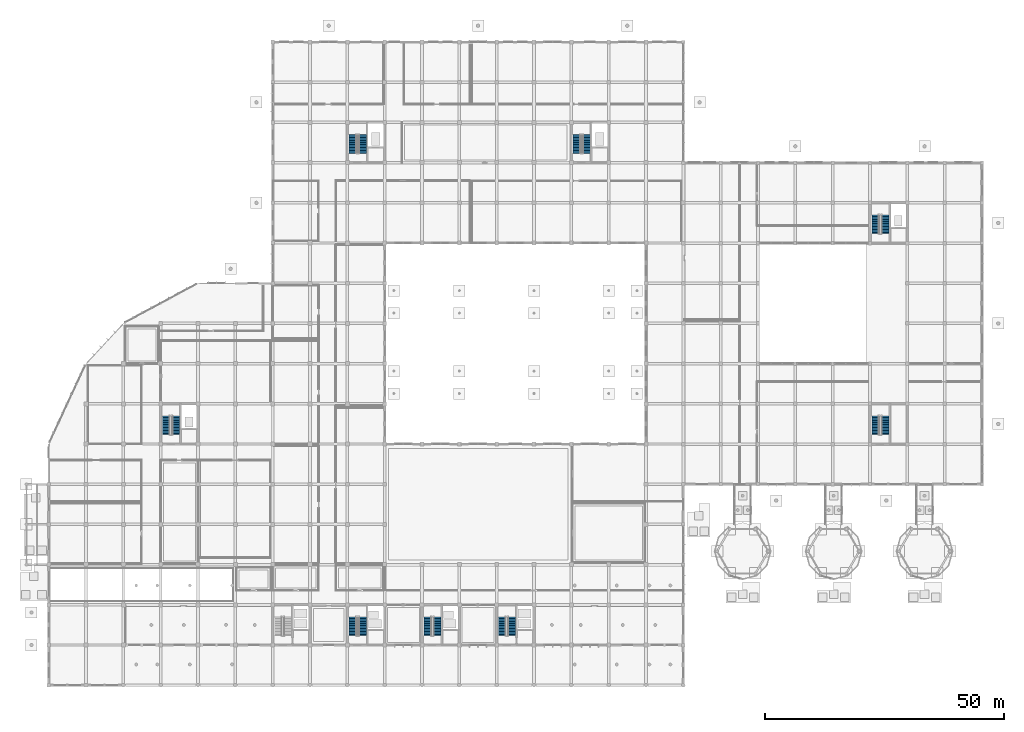
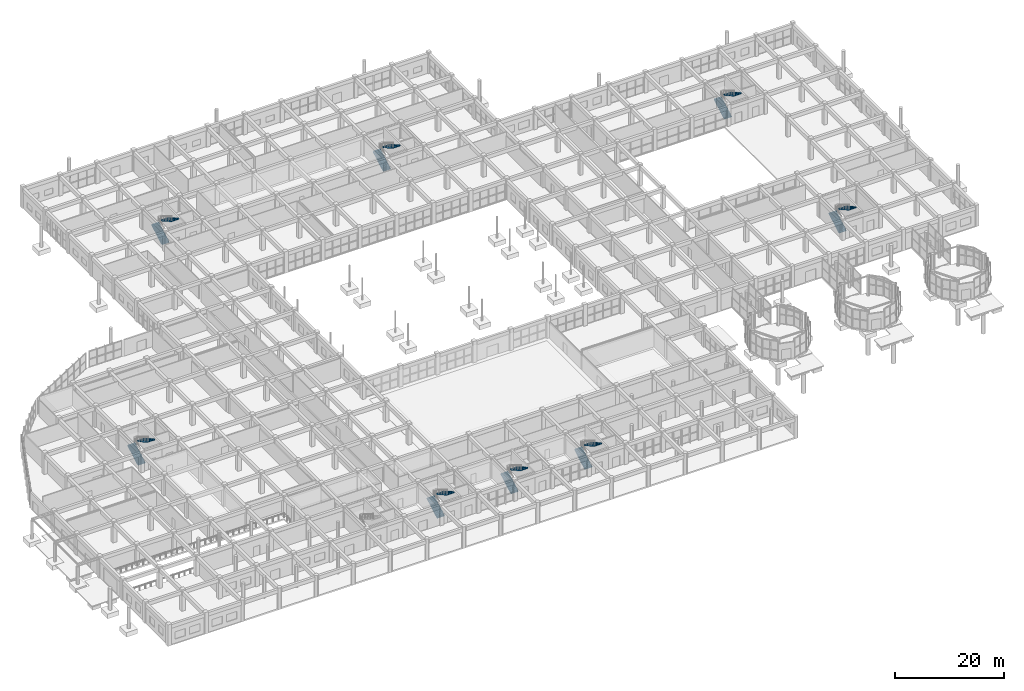
# One storey, part 132 of 139: 16 stair flights, 8 elements without a shape of their own.
"""IFC4 building model written with IfcOpenShell, lengths in metres."""

import ifcopenshell
import ifcopenshell.guid

model = None  # the IFC model being written
_history = None  # IfcOwnerHistory: only IFC2X3 demands one
_inside = {}  # id of a spatial element -> (the spatial element, [elements in it])
_under = {}  # id of a project, library or spatial element -> (it, [spatial elements below it])
_declared = {}  # id of a project -> (the project, [libraries it declares])
_typed = {}  # id of a type object -> (the type object, [elements of that type])
_made_of = {}  # id of a material, layer set ... -> (it, [elements and type objects made of it])


def new_model(schema):
    """Start an empty IFC model of exactly this schema.

    Asked for "IFC4X3", IfcOpenShell would pick the latest addendum, in which some entities
    have other attributes; the version numbers below select the first issue.
    IFC2X3 requires an IfcOwnerHistory on every rooted entity: one is made here for all.
    """
    global model, _history
    if schema == "IFC4X3":
        model = ifcopenshell.file(schema_version=(4, 3, 0, 0))
    else:
        model = ifcopenshell.file(schema=schema)
    _inside.clear()
    _under.clear()
    _declared.clear()
    _typed.clear()
    _made_of.clear()
    _history = None
    if model.schema == "IFC2X3":
        org = make("IfcOrganization", Name="unknown")
        user = make(
            "IfcPersonAndOrganization",
            ThePerson=make("IfcPerson", FamilyName="unknown"),
            TheOrganization=org,
        )
        app = make(
            "IfcApplication",
            ApplicationDeveloper=org,
            Version="unknown",
            ApplicationFullName="unknown",
            ApplicationIdentifier="unknown",
        )
        _history = make(
            "IfcOwnerHistory",
            OwningUser=user,
            OwningApplication=app,
            ChangeAction="ADDED",
            CreationDate=0,
        )
    return model


def make(cls, **values):
    """One entity of the class cls with the attributes given. An attribute that is None is left unset."""
    return model.create_entity(
        cls, **{name: value for name, value in values.items() if value is not None}
    )


def rooted(cls, **values):
    """An entity with a GlobalId (a new one), such as an element, a storey or a relation."""
    return make(cls, GlobalId=ifcopenshell.guid.new(), OwnerHistory=_history, **values)


def si_unit(unit_type, name, prefix=None):
    """IfcSIUnit, for example si_unit("LENGTHUNIT", "METRE", prefix="MILLI")."""
    return make("IfcSIUnit", UnitType=unit_type, Prefix=prefix, Name=name)


def assignment(units):
    """IfcUnitAssignment: the units of a project."""
    return None if units is None else make("IfcUnitAssignment", Units=units)


def point(xyz):
    """IfcCartesianPoint."""
    return None if xyz is None else make("IfcCartesianPoint", Coordinates=xyz)


def direction(xyz):
    """IfcDirection."""
    return None if xyz is None else make("IfcDirection", DirectionRatios=xyz)


def frame(location, z_axis=None, x_axis=None):
    """IfcAxis2Placement3D, a coordinate frame: its origin and axes. An axis left out is left unset."""
    return make(
        "IfcAxis2Placement3D",
        Location=point(location),
        Axis=direction(z_axis),
        RefDirection=direction(x_axis),
    )


def origin():
    """The frame at (0, 0, 0) with its axes left unset."""
    return frame((0.0, 0.0, 0.0))


def place(relative_to, where):
    """IfcLocalPlacement: puts the frame where relative to a parent placement (None: the world)."""
    return make(
        "IfcLocalPlacement", PlacementRelTo=relative_to, RelativePlacement=where
    )


def context(
    kind, dimensions, precision=None, world=None, true_north=None, identifier=None
):
    """IfcGeometricRepresentationContext, for example the 3D "Model" context."""
    return make(
        "IfcGeometricRepresentationContext",
        ContextIdentifier=identifier,
        ContextType=kind,
        CoordinateSpaceDimension=dimensions,
        Precision=precision,
        WorldCoordinateSystem=world,
        TrueNorth=true_north,
    )


def subcontext(parent, identifier, kind, view, scale=None):
    """IfcGeometricRepresentationSubContext, for example "Body" below "Model"."""
    return make(
        "IfcGeometricRepresentationSubContext",
        ContextIdentifier=identifier,
        ContextType=kind,
        ParentContext=parent,
        TargetScale=scale,
        TargetView=view,
    )


def project(units=None, contexts=None):
    """IfcProject with its units and contexts."""
    return rooted(
        "IfcProject",
        Name="project",
        RepresentationContexts=contexts,
        UnitsInContext=assignment(units),
    )


def spatial(cls, under=None, at=None, **own):
    """A site, building, storey or space (cls), placed at a placement, below another one or the project."""
    s = rooted(cls, ObjectPlacement=at, **own)
    if under is not None:
        _under.setdefault(under.id(), (under, []))[1].append(s)
    return s


def polyline(points):
    """IfcPolyline through the points."""
    return make("IfcPolyline", Points=[point(p) for p in points])


def outline(outer, holes=None, kind="AREA"):
    """IfcArbitraryClosedProfileDef: a profile drawn as a closed curve; with holes, ...WithVoids."""
    if holes is None:
        return make("IfcArbitraryClosedProfileDef", ProfileType=kind, OuterCurve=outer)
    return make(
        "IfcArbitraryProfileDefWithVoids",
        ProfileType=kind,
        OuterCurve=outer,
        InnerCurves=holes,
    )


def extrude(swept, where, along, depth):
    """IfcExtrudedAreaSolid: the profile swept, set in the frame where, extruded along a direction by depth."""
    return make(
        "IfcExtrudedAreaSolid",
        SweptArea=swept,
        Position=where,
        ExtrudedDirection=direction(along),
        Depth=depth,
    )


def shape(context_of_items, identifier, shape_type, items):
    """IfcShapeRepresentation: the items that make up one representation, for example the "Body"."""
    return make(
        "IfcShapeRepresentation",
        ContextOfItems=context_of_items,
        RepresentationIdentifier=identifier,
        RepresentationType=shape_type,
        Items=items,
    )


def material(Name=None, Category=None):
    """IfcMaterial."""
    return make("IfcMaterial", Name=Name, Category=Category)


def made_of(thing, what):
    """Note that an element or type object is made of a material, layer set ...; save() writes the relation."""
    if what is not None:
        _made_of.setdefault(what.id(), (what, []))[1].append(thing)
    return thing


def type_object(cls, material=None, **own):
    """A type object (cls), such as IfcWallType, which elements share."""
    return made_of(rooted(cls, **own), material)


def element(
    cls,
    number,
    at=None,
    inside=None,
    cuts=None,
    type_object=None,
    material=None,
    context=None,
    identifier="Body",
    shape_type=None,
    held_by="IfcProductDefinitionShape",
    body=None,
    shapes=None,
    **own,
):
    """One element of the class cls, such as IfcWall. Its Tag is "e" and its number.

    at: its placement. inside: the storey or other place that contains it. cuts: it is an
    opening in that element (IfcRelVoidsElement). A single representation is given by context,
    identifier, shape_type and body (its items); several are given by shapes. held_by: the class
    of the entity that holds the representations. save() writes the other relations.
    """
    e = rooted(cls, Tag="e%d" % number, ObjectPlacement=at, **own)
    if body is not None:
        shapes = [shape(context, identifier, shape_type, body)]
    if shapes is not None:
        e.Representation = make(held_by, Representations=shapes)
    if inside is not None:
        _inside.setdefault(inside.id(), (inside, []))[1].append(e)
    if cuts is not None:
        rooted(
            "IfcRelVoidsElement", RelatingBuildingElement=cuts, RelatedOpeningElement=e
        )
    if type_object is not None:
        _typed.setdefault(type_object.id(), (type_object, []))[1].append(e)
    return made_of(e, material)


def aggregate(whole, parts):
    """IfcRelAggregates: a whole, such as a stair, and the parts it consists of."""
    return rooted("IfcRelAggregates", RelatingObject=whole, RelatedObjects=parts)


def save(model, path):
    """Write the relations noted so far, then the file.

    IfcRelAggregates (storeys below a building ...), IfcRelContainedInSpatialStructure (elements
    in a storey), IfcRelDefinesByType, IfcRelAssociatesMaterial and IfcRelDeclares: one each for
    every whole, place, type object, material and project.
    """
    for whole, parts in _under.values():
        aggregate(whole, parts)
    for where, things in _inside.values():
        rooted(
            "IfcRelContainedInSpatialStructure",
            RelatedElements=things,
            RelatingStructure=where,
        )
    for kind, things in _typed.values():
        rooted("IfcRelDefinesByType", RelatedObjects=things, RelatingType=kind)
    for what, things in _made_of.values():
        rooted("IfcRelAssociatesMaterial", RelatedObjects=things, RelatingMaterial=what)
    for by, libraries in _declared.values():
        rooted("IfcRelDeclares", RelatingContext=by, RelatedDefinitions=libraries)
    model.write(path)


model = new_model("IFC4")

# Units and contexts
model_context = context("Model", 3, precision=1e-05, world=origin(), true_north=direction((0.0, 1.0)))
body_context = subcontext(model_context, "Body", "Model", "MODEL_VIEW")
ifc_project = project(units=[si_unit("LENGTHUNIT", "METRE"), si_unit("AREAUNIT", "SQUARE_METRE"), si_unit("VOLUMEUNIT", "CUBIC_METRE"), si_unit("PLANEANGLEUNIT", "RADIAN"), si_unit("MASSUNIT", "GRAM", prefix="KILO")], contexts=[model_context])

# Site, building, storey
site_placement = place(None, origin())
site = spatial("IfcSite", under=ifc_project, at=site_placement, CompositionType="ELEMENT")
building_placement = place(site_placement, origin())
building = spatial("IfcBuilding", under=site, at=building_placement, Name="Zizhar Promenade General Hospital", CompositionType="ELEMENT")
storey_placement = place(building_placement, origin())
storey = spatial("IfcBuildingStorey", under=building, at=storey_placement, Name="L00", CompositionType="ELEMENT", Elevation=0.0)

# Stair, stair flights
ifc_material_1 = material(Name="Concrete C35/45", Category="concrete")
stair_type = type_object("IfcStairType", Name="STR-DOG-480", PredefinedType="HALF_TURN_STAIR", material=ifc_material_1)
stair_1_placement = place(storey_placement, origin())
stair_1 = element("IfcStair", 1, at=stair_1_placement, inside=storey, type_object=stair_type, Name="Exit Stair ST-01 (L00 to L01)", PredefinedType="HALF_TURN_STAIR")
ifc_material_2 = material(Name="Concrete C35/45", Category="concrete")
stair_flight_type = type_object("IfcStairFlightType", Name="SFL-DOG-480", PredefinedType="STRAIGHT", material=ifc_material_2)
stair_flight_1_placement = place(storey_placement, frame((24.550048828125, 52.35009765625, 0.0), z_axis=(0.0, 0.0, 1.0), x_axis=(0.0, 1.0, 0.0)))
stair_flight_1 = element("IfcStairFlight", 2, at=stair_flight_1_placement, type_object=stair_flight_type, Name="ST-01A flight 1", NumberOfRisers=14, NumberOfTreads=13, PredefinedType="STRAIGHT", RiserHeight=0.171429, TreadLength=0.3, context=body_context, shape_type="SweptSolid", body=[
    extrude(outline(polyline([(0.0, 0.0), (0.0, 0.17138671875), (0.300048828125, 0.17138671875), (0.300048828125, 0.3427734375), (0.60009765625, 0.3427734375), (0.60009765625, 0.514404296875), (0.89990234375, 0.514404296875), (0.89990234375, 0.685791015625), (1.199951171875, 0.685791015625), (1.199951171875, 0.857177734375), (1.5, 0.857177734375), (1.5, 1.028564453125), (1.800048828125, 1.028564453125), (1.800048828125, 1.199951171875), (2.10009765625, 1.199951171875), (2.10009765625, 1.371337890625), (2.39990234375, 1.371337890625), (2.39990234375, 1.54296875), (2.699951171875, 1.54296875), (2.699951171875, 1.71435546875), (3.0, 1.71435546875), (3.0, 1.8857421875), (3.300048828125, 1.8857421875), (3.300048828125, 2.05712890625), (3.60009765625, 2.05712890625), (3.60009765625, 2.228515625), (3.89990234375, 2.228515625), (3.89990234375, 2.39990234375), (3.89990234375, 2.021240234375), (0.362548828125, 0.0), (0.0, 0.0)])), frame((0.0, 0.780029296875, 0.0), z_axis=(0.0, -1.0, 0.0), x_axis=(1.0, 0.0, 0.0)), (0.0, 0.0, 1.0), 1.56005859375),
])
stair_flight_2_placement = place(storey_placement, frame((26.590087890625, 56.25, 2.39990234375), z_axis=(0.0, 0.0, 1.0), x_axis=(0.0, -1.0, 0.0)))
stair_flight_2 = element("IfcStairFlight", 3, at=stair_flight_2_placement, type_object=stair_flight_type, Name="ST-01A flight 2", NumberOfRisers=14, NumberOfTreads=13, PredefinedType="STRAIGHT", RiserHeight=0.171429, TreadLength=0.3, context=body_context, shape_type="SweptSolid", body=[
    extrude(outline(polyline([(0.0, 0.0), (0.0, 0.17138671875), (0.300048828125, 0.17138671875), (0.300048828125, 0.3427734375), (0.60009765625, 0.3427734375), (0.60009765625, 0.514404296875), (0.89990234375, 0.514404296875), (0.89990234375, 0.685791015625), (1.199951171875, 0.685791015625), (1.199951171875, 0.857177734375), (1.5, 0.857177734375), (1.5, 1.028564453125), (1.800048828125, 1.028564453125), (1.800048828125, 1.199951171875), (2.10009765625, 1.199951171875), (2.10009765625, 1.371337890625), (2.39990234375, 1.371337890625), (2.39990234375, 1.54296875), (2.699951171875, 1.54296875), (2.699951171875, 1.71435546875), (3.0, 1.71435546875), (3.0, 1.8857421875), (3.300048828125, 1.8857421875), (3.300048828125, 2.05712890625), (3.60009765625, 2.05712890625), (3.60009765625, 2.228515625), (3.89990234375, 2.228515625), (3.89990234375, 2.39990234375), (3.89990234375, 2.021240234375), (0.362548828125, 0.0), (0.0, 0.0)])), frame((0.0, 0.780029296875, 0.0), z_axis=(0.0, -1.0, 0.0), x_axis=(1.0, 0.0, 0.0)), (0.0, 0.0, 1.0), 1.56005859375),
])
aggregate(stair_1, [stair_flight_1, stair_flight_2])

stair_2_placement = place(storey_placement, origin())
stair_2 = element("IfcStair", 4, at=stair_2_placement, inside=storey, type_object=stair_type, Name="Exit Stair ST-03 (L00 to L01)", PredefinedType="HALF_TURN_STAIR")
stair_flight_3_placement = place(storey_placement, frame((63.550048828125, 10.35009765625, 0.0), z_axis=(0.0, 0.0, 1.0), x_axis=(0.0, 1.0, 0.0)))
stair_flight_3 = element("IfcStairFlight", 5, at=stair_flight_3_placement, type_object=stair_flight_type, Name="ST-03A flight 1", NumberOfRisers=14, NumberOfTreads=13, PredefinedType="STRAIGHT", RiserHeight=0.171429, TreadLength=0.3, context=body_context, shape_type="SweptSolid", body=[
    extrude(outline(polyline([(0.0, 0.0), (0.0, 0.17138671875), (0.300048828125, 0.17138671875), (0.300048828125, 0.3427734375), (0.60009765625, 0.3427734375), (0.60009765625, 0.514404296875), (0.89990234375, 0.514404296875), (0.89990234375, 0.685791015625), (1.199951171875, 0.685791015625), (1.199951171875, 0.857177734375), (1.5, 0.857177734375), (1.5, 1.028564453125), (1.800048828125, 1.028564453125), (1.800048828125, 1.199951171875), (2.10009765625, 1.199951171875), (2.10009765625, 1.371337890625), (2.39990234375, 1.371337890625), (2.39990234375, 1.54296875), (2.699951171875, 1.54296875), (2.699951171875, 1.71435546875), (3.0, 1.71435546875), (3.0, 1.8857421875), (3.300048828125, 1.8857421875), (3.300048828125, 2.05712890625), (3.60009765625, 2.05712890625), (3.60009765625, 2.228515625), (3.89990234375, 2.228515625), (3.89990234375, 2.39990234375), (3.89990234375, 2.021240234375), (0.362548828125, 0.0), (0.0, 0.0)])), frame((0.0, 0.780029296875, 0.0), z_axis=(0.0, -1.0, 0.0), x_axis=(1.0, 0.0, 0.0)), (0.0, 0.0, 1.0), 1.56005859375),
])
stair_flight_4_placement = place(storey_placement, frame((65.590087890625, 14.25, 2.39990234375), z_axis=(0.0, 0.0, 1.0), x_axis=(0.0, -1.0, 0.0)))
stair_flight_4 = element("IfcStairFlight", 6, at=stair_flight_4_placement, type_object=stair_flight_type, Name="ST-03A flight 2", NumberOfRisers=14, NumberOfTreads=13, PredefinedType="STRAIGHT", RiserHeight=0.171429, TreadLength=0.3, context=body_context, shape_type="SweptSolid", body=[
    extrude(outline(polyline([(0.0, 0.0), (0.0, 0.17138671875), (0.300048828125, 0.17138671875), (0.300048828125, 0.3427734375), (0.60009765625, 0.3427734375), (0.60009765625, 0.514404296875), (0.89990234375, 0.514404296875), (0.89990234375, 0.685791015625), (1.199951171875, 0.685791015625), (1.199951171875, 0.857177734375), (1.5, 0.857177734375), (1.5, 1.028564453125), (1.800048828125, 1.028564453125), (1.800048828125, 1.199951171875), (2.10009765625, 1.199951171875), (2.10009765625, 1.371337890625), (2.39990234375, 1.371337890625), (2.39990234375, 1.54296875), (2.699951171875, 1.54296875), (2.699951171875, 1.71435546875), (3.0, 1.71435546875), (3.0, 1.8857421875), (3.300048828125, 1.8857421875), (3.300048828125, 2.05712890625), (3.60009765625, 2.05712890625), (3.60009765625, 2.228515625), (3.89990234375, 2.228515625), (3.89990234375, 2.39990234375), (3.89990234375, 2.021240234375), (0.362548828125, 0.0), (0.0, 0.0)])), frame((0.0, 0.780029296875, 0.0), z_axis=(0.0, -1.0, 0.0), x_axis=(1.0, 0.0, 0.0)), (0.0, 0.0, 1.0), 1.56005859375),
])
aggregate(stair_2, [stair_flight_3, stair_flight_4])

stair_3_placement = place(storey_placement, origin())
stair_3 = element("IfcStair", 7, at=stair_3_placement, inside=storey, type_object=stair_type, Name="Exit Stair ST-04 (L00 to L01)", PredefinedType="HALF_TURN_STAIR")
stair_flight_5_placement = place(storey_placement, frame((79.14990234375, 10.35009765625, 0.0), z_axis=(0.0, 0.0, 1.0), x_axis=(0.0, 1.0, 0.0)))
stair_flight_5 = element("IfcStairFlight", 8, at=stair_flight_5_placement, type_object=stair_flight_type, Name="ST-04A flight 1", NumberOfRisers=14, NumberOfTreads=13, PredefinedType="STRAIGHT", RiserHeight=0.171429, TreadLength=0.3, context=body_context, shape_type="SweptSolid", body=[
    extrude(outline(polyline([(0.0, 0.0), (0.0, 0.17138671875), (0.300048828125, 0.17138671875), (0.300048828125, 0.3427734375), (0.60009765625, 0.3427734375), (0.60009765625, 0.514404296875), (0.89990234375, 0.514404296875), (0.89990234375, 0.685791015625), (1.199951171875, 0.685791015625), (1.199951171875, 0.857177734375), (1.5, 0.857177734375), (1.5, 1.028564453125), (1.800048828125, 1.028564453125), (1.800048828125, 1.199951171875), (2.10009765625, 1.199951171875), (2.10009765625, 1.371337890625), (2.39990234375, 1.371337890625), (2.39990234375, 1.54296875), (2.699951171875, 1.54296875), (2.699951171875, 1.71435546875), (3.0, 1.71435546875), (3.0, 1.8857421875), (3.300048828125, 1.8857421875), (3.300048828125, 2.05712890625), (3.60009765625, 2.05712890625), (3.60009765625, 2.228515625), (3.89990234375, 2.228515625), (3.89990234375, 2.39990234375), (3.89990234375, 2.021240234375), (0.362548828125, 0.0), (0.0, 0.0)])), frame((0.0, 0.780029296875, 0.0), z_axis=(0.0, -1.0, 0.0), x_axis=(1.0, 0.0, 0.0)), (0.0, 0.0, 1.0), 1.56005859375),
])
stair_flight_6_placement = place(storey_placement, frame((81.18994140625, 14.25, 2.39990234375), z_axis=(0.0, 0.0, 1.0), x_axis=(0.0, -1.0, 0.0)))
stair_flight_6 = element("IfcStairFlight", 9, at=stair_flight_6_placement, type_object=stair_flight_type, Name="ST-04A flight 2", NumberOfRisers=14, NumberOfTreads=13, PredefinedType="STRAIGHT", RiserHeight=0.171429, TreadLength=0.3, context=body_context, shape_type="SweptSolid", body=[
    extrude(outline(polyline([(0.0, 0.0), (0.0, 0.17138671875), (0.300048828125, 0.17138671875), (0.300048828125, 0.3427734375), (0.60009765625, 0.3427734375), (0.60009765625, 0.514404296875), (0.89990234375, 0.514404296875), (0.89990234375, 0.685791015625), (1.199951171875, 0.685791015625), (1.199951171875, 0.857177734375), (1.5, 0.857177734375), (1.5, 1.028564453125), (1.800048828125, 1.028564453125), (1.800048828125, 1.199951171875), (2.10009765625, 1.199951171875), (2.10009765625, 1.371337890625), (2.39990234375, 1.371337890625), (2.39990234375, 1.54296875), (2.699951171875, 1.54296875), (2.699951171875, 1.71435546875), (3.0, 1.71435546875), (3.0, 1.8857421875), (3.300048828125, 1.8857421875), (3.300048828125, 2.05712890625), (3.60009765625, 2.05712890625), (3.60009765625, 2.228515625), (3.89990234375, 2.228515625), (3.89990234375, 2.39990234375), (3.89990234375, 2.021240234375), (0.362548828125, 0.0), (0.0, 0.0)])), frame((0.0, 0.780029296875, 0.0), z_axis=(0.0, -1.0, 0.0), x_axis=(1.0, 0.0, 0.0)), (0.0, 0.0, 1.0), 1.56005859375),
])
aggregate(stair_3, [stair_flight_5, stair_flight_6])

stair_4_placement = place(storey_placement, origin())
stair_4 = element("IfcStair", 10, at=stair_4_placement, inside=storey, type_object=stair_type, Name="Exit Stair ST-05 (L00 to L01)", PredefinedType="HALF_TURN_STAIR")
stair_flight_7_placement = place(storey_placement, frame((94.75, 10.35009765625, 0.0), z_axis=(0.0, 0.0, 1.0), x_axis=(0.0, 1.0, 0.0)))
stair_flight_7 = element("IfcStairFlight", 11, at=stair_flight_7_placement, type_object=stair_flight_type, Name="ST-05A flight 1", NumberOfRisers=14, NumberOfTreads=13, PredefinedType="STRAIGHT", RiserHeight=0.171429, TreadLength=0.3, context=body_context, shape_type="SweptSolid", body=[
    extrude(outline(polyline([(0.0, 0.0), (0.0, 0.17138671875), (0.300048828125, 0.17138671875), (0.300048828125, 0.3427734375), (0.60009765625, 0.3427734375), (0.60009765625, 0.514404296875), (0.89990234375, 0.514404296875), (0.89990234375, 0.685791015625), (1.199951171875, 0.685791015625), (1.199951171875, 0.857177734375), (1.5, 0.857177734375), (1.5, 1.028564453125), (1.800048828125, 1.028564453125), (1.800048828125, 1.199951171875), (2.10009765625, 1.199951171875), (2.10009765625, 1.371337890625), (2.39990234375, 1.371337890625), (2.39990234375, 1.54296875), (2.699951171875, 1.54296875), (2.699951171875, 1.71435546875), (3.0, 1.71435546875), (3.0, 1.8857421875), (3.300048828125, 1.8857421875), (3.300048828125, 2.05712890625), (3.60009765625, 2.05712890625), (3.60009765625, 2.228515625), (3.89990234375, 2.228515625), (3.89990234375, 2.39990234375), (3.89990234375, 2.021240234375), (0.362548828125, 0.0), (0.0, 0.0)])), frame((0.0, 0.780029296875, 0.0), z_axis=(0.0, -1.0, 0.0), x_axis=(1.0, 0.0, 0.0)), (0.0, 0.0, 1.0), 1.56005859375),
])
stair_flight_8_placement = place(storey_placement, frame((96.7900390625, 14.25, 2.39990234375), z_axis=(0.0, 0.0, 1.0), x_axis=(0.0, -1.0, 0.0)))
stair_flight_8 = element("IfcStairFlight", 12, at=stair_flight_8_placement, type_object=stair_flight_type, Name="ST-05A flight 2", NumberOfRisers=14, NumberOfTreads=13, PredefinedType="STRAIGHT", RiserHeight=0.171429, TreadLength=0.3, context=body_context, shape_type="SweptSolid", body=[
    extrude(outline(polyline([(0.0, 0.0), (0.0, 0.17138671875), (0.300048828125, 0.17138671875), (0.300048828125, 0.3427734375), (0.60009765625, 0.3427734375), (0.60009765625, 0.514404296875), (0.89990234375, 0.514404296875), (0.89990234375, 0.685791015625), (1.199951171875, 0.685791015625), (1.199951171875, 0.857177734375), (1.5, 0.857177734375), (1.5, 1.028564453125), (1.800048828125, 1.028564453125), (1.800048828125, 1.199951171875), (2.10009765625, 1.199951171875), (2.10009765625, 1.371337890625), (2.39990234375, 1.371337890625), (2.39990234375, 1.54296875), (2.699951171875, 1.54296875), (2.699951171875, 1.71435546875), (3.0, 1.71435546875), (3.0, 1.8857421875), (3.300048828125, 1.8857421875), (3.300048828125, 2.05712890625), (3.60009765625, 2.05712890625), (3.60009765625, 2.228515625), (3.89990234375, 2.228515625), (3.89990234375, 2.39990234375), (3.89990234375, 2.021240234375), (0.362548828125, 0.0), (0.0, 0.0)])), frame((0.0, 0.780029296875, 0.0), z_axis=(0.0, -1.0, 0.0), x_axis=(1.0, 0.0, 0.0)), (0.0, 0.0, 1.0), 1.56005859375),
])
aggregate(stair_4, [stair_flight_7, stair_flight_8])

stair_5_placement = place(storey_placement, origin())
stair_5 = element("IfcStair", 13, at=stair_5_placement, inside=storey, type_object=stair_type, Name="Exit Stair ST-06 (L00 to L01)", PredefinedType="HALF_TURN_STAIR")
stair_flight_9_placement = place(storey_placement, frame((63.550048828125, 111.14990234375, 0.0), z_axis=(0.0, 0.0, 1.0), x_axis=(0.0, 1.0, 0.0)))
stair_flight_9 = element("IfcStairFlight", 14, at=stair_flight_9_placement, type_object=stair_flight_type, Name="ST-06A flight 1", NumberOfRisers=14, NumberOfTreads=13, PredefinedType="STRAIGHT", RiserHeight=0.171429, TreadLength=0.3, context=body_context, shape_type="SweptSolid", body=[
    extrude(outline(polyline([(0.0, 0.0), (0.0, 0.17138671875), (0.300048828125, 0.17138671875), (0.300048828125, 0.3427734375), (0.60009765625, 0.3427734375), (0.60009765625, 0.514404296875), (0.89990234375, 0.514404296875), (0.89990234375, 0.685791015625), (1.199951171875, 0.685791015625), (1.199951171875, 0.857177734375), (1.5, 0.857177734375), (1.5, 1.028564453125), (1.800048828125, 1.028564453125), (1.800048828125, 1.199951171875), (2.10009765625, 1.199951171875), (2.10009765625, 1.371337890625), (2.39990234375, 1.371337890625), (2.39990234375, 1.54296875), (2.699951171875, 1.54296875), (2.699951171875, 1.71435546875), (3.0, 1.71435546875), (3.0, 1.8857421875), (3.300048828125, 1.8857421875), (3.300048828125, 2.05712890625), (3.60009765625, 2.05712890625), (3.60009765625, 2.228515625), (3.89990234375, 2.228515625), (3.89990234375, 2.39990234375), (3.89990234375, 2.021240234375), (0.362548828125, 0.0), (0.0, 0.0)])), frame((0.0, 0.780029296875, 0.0), z_axis=(0.0, -1.0, 0.0), x_axis=(1.0, 0.0, 0.0)), (0.0, 0.0, 1.0), 1.56005859375),
])
stair_flight_10_placement = place(storey_placement, frame((65.590087890625, 115.050048828125, 2.39990234375), z_axis=(0.0, 0.0, 1.0), x_axis=(0.0, -1.0, 0.0)))
stair_flight_10 = element("IfcStairFlight", 15, at=stair_flight_10_placement, type_object=stair_flight_type, Name="ST-06A flight 2", NumberOfRisers=14, NumberOfTreads=13, PredefinedType="STRAIGHT", RiserHeight=0.171429, TreadLength=0.3, context=body_context, shape_type="SweptSolid", body=[
    extrude(outline(polyline([(0.0, 0.0), (0.0, 0.17138671875), (0.300048828125, 0.17138671875), (0.300048828125, 0.3427734375), (0.60009765625, 0.3427734375), (0.60009765625, 0.514404296875), (0.89990234375, 0.514404296875), (0.89990234375, 0.685791015625), (1.199951171875, 0.685791015625), (1.199951171875, 0.857177734375), (1.5, 0.857177734375), (1.5, 1.028564453125), (1.800048828125, 1.028564453125), (1.800048828125, 1.199951171875), (2.10009765625, 1.199951171875), (2.10009765625, 1.371337890625), (2.39990234375, 1.371337890625), (2.39990234375, 1.54296875), (2.699951171875, 1.54296875), (2.699951171875, 1.71435546875), (3.0, 1.71435546875), (3.0, 1.8857421875), (3.300048828125, 1.8857421875), (3.300048828125, 2.05712890625), (3.60009765625, 2.05712890625), (3.60009765625, 2.228515625), (3.89990234375, 2.228515625), (3.89990234375, 2.39990234375), (3.89990234375, 2.021240234375), (0.362548828125, 0.0), (0.0, 0.0)])), frame((0.0, 0.780029296875, 0.0), z_axis=(0.0, -1.0, 0.0), x_axis=(1.0, 0.0, 0.0)), (0.0, 0.0, 1.0), 1.56005859375),
])
aggregate(stair_5, [stair_flight_9, stair_flight_10])

stair_6_placement = place(storey_placement, origin())
stair_6 = element("IfcStair", 16, at=stair_6_placement, inside=storey, type_object=stair_type, Name="Exit Stair ST-07 (L00 to L01)", PredefinedType="HALF_TURN_STAIR")
stair_flight_11_placement = place(storey_placement, frame((110.35009765625, 111.14990234375, 0.0), z_axis=(0.0, 0.0, 1.0), x_axis=(0.0, 1.0, 0.0)))
stair_flight_11 = element("IfcStairFlight", 17, at=stair_flight_11_placement, type_object=stair_flight_type, Name="ST-07A flight 1", NumberOfRisers=14, NumberOfTreads=13, PredefinedType="STRAIGHT", RiserHeight=0.171429, TreadLength=0.3, context=body_context, shape_type="SweptSolid", body=[
    extrude(outline(polyline([(0.0, 0.0), (0.0, 0.17138671875), (0.300048828125, 0.17138671875), (0.300048828125, 0.3427734375), (0.60009765625, 0.3427734375), (0.60009765625, 0.514404296875), (0.89990234375, 0.514404296875), (0.89990234375, 0.685791015625), (1.199951171875, 0.685791015625), (1.199951171875, 0.857177734375), (1.5, 0.857177734375), (1.5, 1.028564453125), (1.800048828125, 1.028564453125), (1.800048828125, 1.199951171875), (2.10009765625, 1.199951171875), (2.10009765625, 1.371337890625), (2.39990234375, 1.371337890625), (2.39990234375, 1.54296875), (2.699951171875, 1.54296875), (2.699951171875, 1.71435546875), (3.0, 1.71435546875), (3.0, 1.8857421875), (3.300048828125, 1.8857421875), (3.300048828125, 2.05712890625), (3.60009765625, 2.05712890625), (3.60009765625, 2.228515625), (3.89990234375, 2.228515625), (3.89990234375, 2.39990234375), (3.89990234375, 2.021240234375), (0.362548828125, 0.0), (0.0, 0.0)])), frame((0.0, 0.780029296875, 0.0), z_axis=(0.0, -1.0, 0.0), x_axis=(1.0, 0.0, 0.0)), (0.0, 0.0, 1.0), 1.56005859375),
])
stair_flight_12_placement = place(storey_placement, frame((112.389892578125, 115.050048828125, 2.39990234375), z_axis=(0.0, 0.0, 1.0), x_axis=(0.0, -1.0, 0.0)))
stair_flight_12 = element("IfcStairFlight", 18, at=stair_flight_12_placement, type_object=stair_flight_type, Name="ST-07A flight 2", NumberOfRisers=14, NumberOfTreads=13, PredefinedType="STRAIGHT", RiserHeight=0.171429, TreadLength=0.3, context=body_context, shape_type="SweptSolid", body=[
    extrude(outline(polyline([(0.0, 0.0), (0.0, 0.17138671875), (0.300048828125, 0.17138671875), (0.300048828125, 0.3427734375), (0.60009765625, 0.3427734375), (0.60009765625, 0.514404296875), (0.89990234375, 0.514404296875), (0.89990234375, 0.685791015625), (1.199951171875, 0.685791015625), (1.199951171875, 0.857177734375), (1.5, 0.857177734375), (1.5, 1.028564453125), (1.800048828125, 1.028564453125), (1.800048828125, 1.199951171875), (2.10009765625, 1.199951171875), (2.10009765625, 1.371337890625), (2.39990234375, 1.371337890625), (2.39990234375, 1.54296875), (2.699951171875, 1.54296875), (2.699951171875, 1.71435546875), (3.0, 1.71435546875), (3.0, 1.8857421875), (3.300048828125, 1.8857421875), (3.300048828125, 2.05712890625), (3.60009765625, 2.05712890625), (3.60009765625, 2.228515625), (3.89990234375, 2.228515625), (3.89990234375, 2.39990234375), (3.89990234375, 2.021240234375), (0.362548828125, 0.0), (0.0, 0.0)])), frame((0.0, 0.780029296875, 0.0), z_axis=(0.0, -1.0, 0.0), x_axis=(1.0, 0.0, 0.0)), (0.0, 0.0, 1.0), 1.56005859375),
])
aggregate(stair_6, [stair_flight_11, stair_flight_12])

stair_7_placement = place(storey_placement, origin())
stair_7 = element("IfcStair", 19, at=stair_7_placement, inside=storey, type_object=stair_type, Name="Exit Stair ST-08 (L00 to L01)", PredefinedType="HALF_TURN_STAIR")
stair_flight_13_placement = place(storey_placement, frame((172.75, 94.35009765625, 0.0), z_axis=(0.0, 0.0, 1.0), x_axis=(0.0, 1.0, 0.0)))
stair_flight_13 = element("IfcStairFlight", 20, at=stair_flight_13_placement, type_object=stair_flight_type, Name="ST-08A flight 1", NumberOfRisers=14, NumberOfTreads=13, PredefinedType="STRAIGHT", RiserHeight=0.171429, TreadLength=0.3, context=body_context, shape_type="SweptSolid", body=[
    extrude(outline(polyline([(0.0, 0.0), (0.0, 0.17138671875), (0.300048828125, 0.17138671875), (0.300048828125, 0.3427734375), (0.60009765625, 0.3427734375), (0.60009765625, 0.514404296875), (0.89990234375, 0.514404296875), (0.89990234375, 0.685791015625), (1.199951171875, 0.685791015625), (1.199951171875, 0.857177734375), (1.5, 0.857177734375), (1.5, 1.028564453125), (1.800048828125, 1.028564453125), (1.800048828125, 1.199951171875), (2.10009765625, 1.199951171875), (2.10009765625, 1.371337890625), (2.39990234375, 1.371337890625), (2.39990234375, 1.54296875), (2.699951171875, 1.54296875), (2.699951171875, 1.71435546875), (3.0, 1.71435546875), (3.0, 1.8857421875), (3.300048828125, 1.8857421875), (3.300048828125, 2.05712890625), (3.60009765625, 2.05712890625), (3.60009765625, 2.228515625), (3.89990234375, 2.228515625), (3.89990234375, 2.39990234375), (3.89990234375, 2.021240234375), (0.362548828125, 0.0), (0.0, 0.0)])), frame((0.0, 0.780029296875, 0.0), z_axis=(0.0, -1.0, 0.0), x_axis=(1.0, 0.0, 0.0)), (0.0, 0.0, 1.0), 1.56005859375),
])
stair_flight_14_placement = place(storey_placement, frame((174.7900390625, 98.25, 2.39990234375), z_axis=(0.0, 0.0, 1.0), x_axis=(0.0, -1.0, 0.0)))
stair_flight_14 = element("IfcStairFlight", 21, at=stair_flight_14_placement, type_object=stair_flight_type, Name="ST-08A flight 2", NumberOfRisers=14, NumberOfTreads=13, PredefinedType="STRAIGHT", RiserHeight=0.171429, TreadLength=0.3, context=body_context, shape_type="SweptSolid", body=[
    extrude(outline(polyline([(0.0, 0.0), (0.0, 0.17138671875), (0.300048828125, 0.17138671875), (0.300048828125, 0.3427734375), (0.60009765625, 0.3427734375), (0.60009765625, 0.514404296875), (0.89990234375, 0.514404296875), (0.89990234375, 0.685791015625), (1.199951171875, 0.685791015625), (1.199951171875, 0.857177734375), (1.5, 0.857177734375), (1.5, 1.028564453125), (1.800048828125, 1.028564453125), (1.800048828125, 1.199951171875), (2.10009765625, 1.199951171875), (2.10009765625, 1.371337890625), (2.39990234375, 1.371337890625), (2.39990234375, 1.54296875), (2.699951171875, 1.54296875), (2.699951171875, 1.71435546875), (3.0, 1.71435546875), (3.0, 1.8857421875), (3.300048828125, 1.8857421875), (3.300048828125, 2.05712890625), (3.60009765625, 2.05712890625), (3.60009765625, 2.228515625), (3.89990234375, 2.228515625), (3.89990234375, 2.39990234375), (3.89990234375, 2.021240234375), (0.362548828125, 0.0), (0.0, 0.0)])), frame((0.0, 0.780029296875, 0.0), z_axis=(0.0, -1.0, 0.0), x_axis=(1.0, 0.0, 0.0)), (0.0, 0.0, 1.0), 1.56005859375),
])
aggregate(stair_7, [stair_flight_13, stair_flight_14])

stair_8_placement = place(storey_placement, origin())
stair_8 = element("IfcStair", 22, at=stair_8_placement, inside=storey, type_object=stair_type, Name="Exit Stair ST-09 (L00 to L01)", PredefinedType="HALF_TURN_STAIR")
stair_flight_15_placement = place(storey_placement, frame((172.75, 52.35009765625, 0.0), z_axis=(0.0, 0.0, 1.0), x_axis=(0.0, 1.0, 0.0)))
stair_flight_15 = element("IfcStairFlight", 23, at=stair_flight_15_placement, type_object=stair_flight_type, Name="ST-09A flight 1", NumberOfRisers=14, NumberOfTreads=13, PredefinedType="STRAIGHT", RiserHeight=0.171429, TreadLength=0.3, context=body_context, shape_type="SweptSolid", body=[
    extrude(outline(polyline([(0.0, 0.0), (0.0, 0.17138671875), (0.300048828125, 0.17138671875), (0.300048828125, 0.3427734375), (0.60009765625, 0.3427734375), (0.60009765625, 0.514404296875), (0.89990234375, 0.514404296875), (0.89990234375, 0.685791015625), (1.199951171875, 0.685791015625), (1.199951171875, 0.857177734375), (1.5, 0.857177734375), (1.5, 1.028564453125), (1.800048828125, 1.028564453125), (1.800048828125, 1.199951171875), (2.10009765625, 1.199951171875), (2.10009765625, 1.371337890625), (2.39990234375, 1.371337890625), (2.39990234375, 1.54296875), (2.699951171875, 1.54296875), (2.699951171875, 1.71435546875), (3.0, 1.71435546875), (3.0, 1.8857421875), (3.300048828125, 1.8857421875), (3.300048828125, 2.05712890625), (3.60009765625, 2.05712890625), (3.60009765625, 2.228515625), (3.89990234375, 2.228515625), (3.89990234375, 2.39990234375), (3.89990234375, 2.021240234375), (0.362548828125, 0.0), (0.0, 0.0)])), frame((0.0, 0.780029296875, 0.0), z_axis=(0.0, -1.0, 0.0), x_axis=(1.0, 0.0, 0.0)), (0.0, 0.0, 1.0), 1.56005859375),
])
stair_flight_16_placement = place(storey_placement, frame((174.7900390625, 56.25, 2.39990234375), z_axis=(0.0, 0.0, 1.0), x_axis=(0.0, -1.0, 0.0)))
stair_flight_16 = element("IfcStairFlight", 24, at=stair_flight_16_placement, type_object=stair_flight_type, Name="ST-09A flight 2", NumberOfRisers=14, NumberOfTreads=13, PredefinedType="STRAIGHT", RiserHeight=0.171429, TreadLength=0.3, context=body_context, shape_type="SweptSolid", body=[
    extrude(outline(polyline([(0.0, 0.0), (0.0, 0.17138671875), (0.300048828125, 0.17138671875), (0.300048828125, 0.3427734375), (0.60009765625, 0.3427734375), (0.60009765625, 0.514404296875), (0.89990234375, 0.514404296875), (0.89990234375, 0.685791015625), (1.199951171875, 0.685791015625), (1.199951171875, 0.857177734375), (1.5, 0.857177734375), (1.5, 1.028564453125), (1.800048828125, 1.028564453125), (1.800048828125, 1.199951171875), (2.10009765625, 1.199951171875), (2.10009765625, 1.371337890625), (2.39990234375, 1.371337890625), (2.39990234375, 1.54296875), (2.699951171875, 1.54296875), (2.699951171875, 1.71435546875), (3.0, 1.71435546875), (3.0, 1.8857421875), (3.300048828125, 1.8857421875), (3.300048828125, 2.05712890625), (3.60009765625, 2.05712890625), (3.60009765625, 2.228515625), (3.89990234375, 2.228515625), (3.89990234375, 2.39990234375), (3.89990234375, 2.021240234375), (0.362548828125, 0.0), (0.0, 0.0)])), frame((0.0, 0.780029296875, 0.0), z_axis=(0.0, -1.0, 0.0), x_axis=(1.0, 0.0, 0.0)), (0.0, 0.0, 1.0), 1.56005859375),
])
aggregate(stair_8, [stair_flight_15, stair_flight_16])

save(model, "model.ifc")
